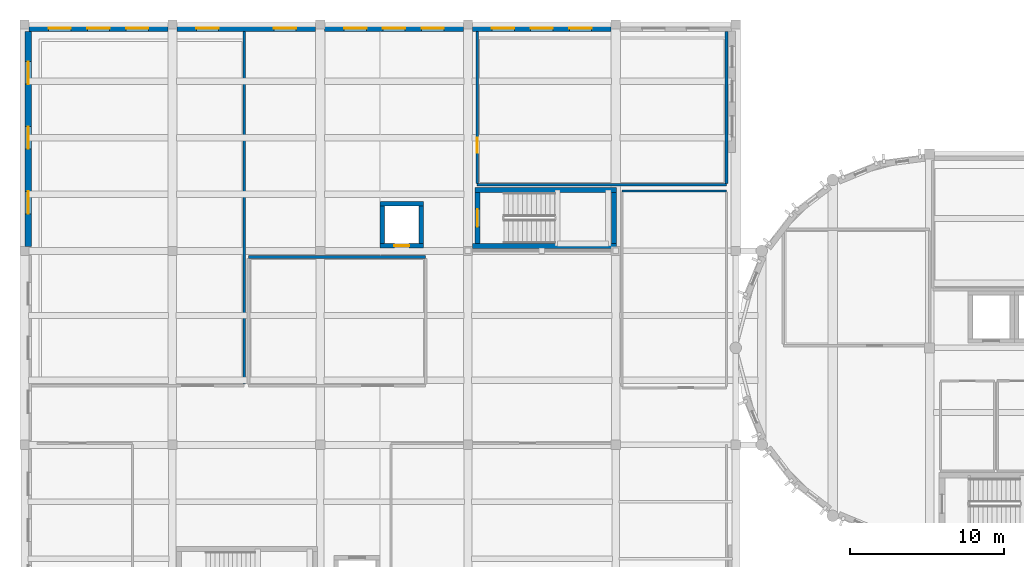
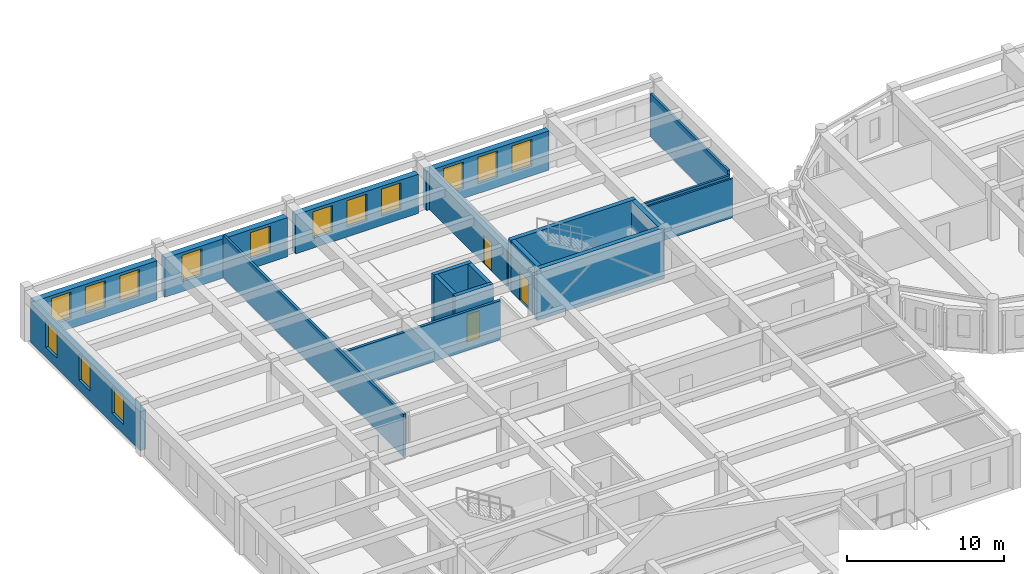
# One storey, part 17 of 31: 19 walls, 14 windows, 3 doors, 17 openings.
"""IFC4 building model written with IfcOpenShell, lengths in metres."""

from ifc_helpers import new_model, si_unit, direction, frame, frame_2d, origin, place, context, subcontext, project, spatial, rectangle, extrude, material, layer, layer_set, type_object, element, fill, save


model = new_model("IFC4")

# Units and contexts
model_context = context("Model", 3, precision=1e-05, world=origin(), true_north=direction((0.0, 1.0)))
body_context = subcontext(model_context, "Body", "Model", "MODEL_VIEW")
ifc_project = project(units=[si_unit("LENGTHUNIT", "METRE"), si_unit("AREAUNIT", "SQUARE_METRE"), si_unit("VOLUMEUNIT", "CUBIC_METRE"), si_unit("PLANEANGLEUNIT", "RADIAN"), si_unit("MASSUNIT", "GRAM", prefix="KILO")], contexts=[model_context])

# Site, building, storey
site_placement = place(None, origin())
site = spatial("IfcSite", under=ifc_project, at=site_placement, CompositionType="ELEMENT")
building_placement = place(site_placement, origin())
building = spatial("IfcBuilding", under=site, at=building_placement, Name="Tarnavel Promenade Courthouse", CompositionType="ELEMENT")
storey_placement = place(building_placement, frame((0.0, 0.0, 18.60009765625)))
storey = spatial("IfcBuildingStorey", under=building, at=storey_placement, Name="L05", CompositionType="ELEMENT", Elevation=18.60009765625)

# Wall
ifc_material_1 = material(Name="Acoustic Insulated Gypsum Stud Partition", Category="gypsum")
ifc_layer_1 = layer(ifc_material_1, 0.1650390625)
ifc_layer_set_1 = layer_set([ifc_layer_1], Name="Acoustic Insulated Gypsum Stud Partition")
wall_type_1 = type_object("IfcWallType", Name="Acoustic Insulated Gypsum Stud Partition WL-CHM-165 (165 mm)", PredefinedType="PARTITIONING", material=ifc_layer_set_1)
wall_1_placement = place(storey_placement, frame((45.60009765625, 102.39990234375, 0.0), z_axis=(0.0, 0.0, 1.0), x_axis=(-1.0, 0.0, 0.0)))
element("IfcWall", 1, at=wall_1_placement, inside=storey, type_object=wall_type_1, Name="L05 Appellate Panel Robing Room Partition 0692", PredefinedType="PARTITIONING", context=body_context, shape_type="SweptSolid", body=[
    extrude(rectangle(XDim=16.2001953125, YDim=0.1650390625, at=frame_2d((8.10009765625, 0.0))), origin(), (0.0, 0.0, 1.0), 3.039794921875),
])

# Wall, opening, door
wall_2_placement = place(storey_placement, frame((29.39990234375, 102.492431640625, 0.0), z_axis=(0.0, 0.0, 1.0), x_axis=(0.0, 1.0, 0.0)))
wall_2 = element("IfcWall", 2, at=wall_2_placement, inside=storey, type_object=wall_type_1, Name="L05 Appellate Panel Robing Room Partition 0693", PredefinedType="PARTITIONING", context=body_context, shape_type="SweptSolid", body=[
    extrude(rectangle(XDim=9.853515625, YDim=0.1650390625, at=frame_2d((4.9267578125, 0.0))), origin(), (0.0, 0.0, 1.0), 3.33984375),
])
opening_1_placement = place(wall_2_placement, frame((1.984619140625, 0.0, 0.0)))
opening_1 = element("IfcOpeningElement", 3, at=opening_1_placement, cuts=wall_2, Name="Opening ID-04", PredefinedType="OPENING", context=body_context, shape_type="SweptSolid", body=[
    extrude(rectangle(XDim=0.97998046875, YDim=2.199951171875, at=frame_2d((0.489990234375, 1.10009765625))), frame((0.0, 0.092529296875, 0.0), z_axis=(0.0, -1.0, 0.0), x_axis=(1.0, 0.0, 0.0)), (0.0, 0.0, 1.0), 0.18505859375),
])
ifc_material_2 = material(Name="Solid Oak Judges Chambers Door")
door_type_1 = type_object("IfcDoorType", Name="Solid Oak Judges Chambers Door (DR-CHM-0980x2200)", OperationType="NOTDEFINED", PredefinedType="DOOR", material=ifc_material_2)
door_1_placement = place(opening_1_placement, origin())
door_1 = element("IfcDoor", 4, at=door_1_placement, inside=storey, type_object=door_type_1, Name="L05 Appellate Panel Robing Room Door 0198", OperationType="SINGLE_SWING_RIGHT", OverallHeight=2.199951171875, OverallWidth=0.97998046875, PredefinedType="DOOR", context=body_context, shape_type="SweptSolid", body=[
    extrude(rectangle(XDim=0.97998046875, YDim=2.199951171875, at=frame_2d((0.489990234375, 1.10009765625))), frame((0.0, 0.02490234375, 0.0), z_axis=(0.0, -1.0, 0.0), x_axis=(1.0, 0.0, 0.0)), (0.0, 0.0, 1.0), 0.050048828125),
])
fill(opening_1, door_1)

# Walls
wall_3_placement = place(storey_placement, frame((45.60009765625, 112.345947265625, 0.0), z_axis=(0.0, 0.0, 1.0), x_axis=(0.0, -1.0, 0.0)))
element("IfcWall", 5, at=wall_3_placement, inside=storey, type_object=wall_type_1, Name="L05 Appellate Panel Robing Room Partition 0694", PredefinedType="PARTITIONING", context=body_context, shape_type="SweptSolid", body=[
    extrude(rectangle(XDim=9.853515625, YDim=0.1650390625, at=frame_2d((4.9267578125, 0.0))), origin(), (0.0, 0.0, 1.0), 3.33984375),
])
ifc_material_3 = material(Name="Concrete C40/50", Category="concrete")
ifc_layer_2 = layer(ifc_material_3, 0.280029296875)
ifc_layer_set_2 = layer_set([ifc_layer_2], Name="Concrete C40/50")
wall_type_2 = type_object("IfcWallType", Name="Concrete C40/50 WL-SHR-280 (280 mm)", PredefinedType="SHEAR", material=ifc_layer_set_2)
wall_4_placement = place(storey_placement, frame((23.10009765625, 101.159912109375, 0.0), z_axis=(0.0, 0.0, 1.0), x_axis=(1.0, 0.0, 0.0)))
element("IfcWall", 6, at=wall_4_placement, inside=storey, type_object=wall_type_2, Name="L05 L-JUD2 Lift Shaft North Wall", PredefinedType="SHEAR", context=body_context, shape_type="SweptSolid", body=[
    extrude(rectangle(XDim=2.7998046875, YDim=0.280029296875, at=frame_2d((1.39990234375, 0.0))), origin(), (0.0, 0.0, 1.0), 3.9599609375),
])

# Wall, opening, door
wall_5_placement = place(storey_placement, frame((25.89990234375, 98.43994140625, 0.0), z_axis=(0.0, 0.0, 1.0), x_axis=(-1.0, 0.0, 0.0)))
wall_5 = element("IfcWall", 7, at=wall_5_placement, inside=storey, type_object=wall_type_2, Name="L05 L-JUD2 Lift Shaft South Wall", PredefinedType="SHEAR", context=body_context, shape_type="SweptSolid", body=[
    extrude(rectangle(XDim=2.7998046875, YDim=0.280029296875, at=frame_2d((1.39990234375, 0.0))), origin(), (0.0, 0.0, 1.0), 3.9599609375),
])
opening_2_placement = place(wall_5_placement, frame((0.925048828125, 0.0, 0.0)))
opening_2 = element("IfcOpeningElement", 8, at=opening_2_placement, cuts=wall_5, Name="Opening LD-03", PredefinedType="OPENING", context=body_context, shape_type="SweptSolid", body=[
    extrude(rectangle(XDim=0.949951171875, YDim=2.14990234375, at=frame_2d((0.47509765625, 1.074951171875))), frame((0.0, 0.14990234375, 0.0), z_axis=(0.0, -1.0, 0.0), x_axis=(1.0, 0.0, 0.0)), (0.0, 0.0, 1.0), 0.300048828125),
])
ifc_material_4 = material(Name="Stainless Steel Judicial Lift Landing Sliding Door", Category="steel")
door_type_2 = type_object("IfcDoorType", Name="Stainless Steel Judicial Lift Landing Sliding Door (LD-JUD-0950x2150)", OperationType="NOTDEFINED", PredefinedType="DOOR", material=ifc_material_4)
door_2_placement = place(opening_2_placement, origin())
door_2 = element("IfcDoor", 9, at=door_2_placement, inside=storey, type_object=door_type_2, Name="L05 L-JUD2 Lift Sliding Landing Door", OperationType="DOUBLE_DOOR_SLIDING", OverallHeight=2.14990234375, OverallWidth=0.949951171875, PredefinedType="DOOR", context=body_context, shape_type="SweptSolid", body=[
    extrude(rectangle(XDim=0.949951171875, YDim=2.14990234375, at=frame_2d((0.47509765625, 1.074951171875))), frame((0.0, 0.02490234375, 0.0), z_axis=(0.0, -1.0, 0.0), x_axis=(1.0, 0.0, 0.0)), (0.0, 0.0, 1.0), 0.050048828125),
])
fill(opening_2, door_2)

# Walls
for number, where, z_axis, x_axis, name in (
    (10, (23.239990234375, 98.580078125, 0.0), (0.0, 0.0, 1.0), (0.0, 1.0, 0.0), "L05 L-JUD2 Lift Shaft West Wall"),
    (11, (25.760009765625, 101.02001953125, 0.0), (0.0, 0.0, 1.0), (0.0, -1.0, 0.0), "L05 L-JUD2 Lift Shaft East Wall"),
):
    element("IfcWall", number, at=place(storey_placement, frame(where, z_axis=z_axis, x_axis=x_axis)), inside=storey, type_object=wall_type_2, Name=name, PredefinedType="SHEAR", context=body_context, shape_type="SweptSolid", body=[
        extrude(rectangle(XDim=2.43994140625, YDim=0.280029296875, at=frame_2d((1.219970703125, 0.0))), origin(), (0.0, 0.0, 1.0), 3.9599609375),
    ])
ifc_layer_3 = layer(ifc_material_3, 0.320068359375)
ifc_layer_set_3 = layer_set([ifc_layer_3], Name="Concrete C40/50")
wall_type_3 = type_object("IfcWallType", Name="Concrete C40/50 WL-SHR-320 (320 mm)", PredefinedType="SHEAR", material=ifc_layer_set_3)
wall_6_placement = place(storey_placement, frame((29.260009765625, 102.06005859375, 0.0), z_axis=(0.0, 0.0, 1.0), x_axis=(1.0, 0.0, 0.0)))
element("IfcWall", 12, at=wall_6_placement, inside=storey, type_object=wall_type_3, Name="L05 ST-07 Shear Core North Wall", PredefinedType="SHEAR", context=body_context, shape_type="SweptSolid", body=[
    extrude(rectangle(XDim=9.179931640625, YDim=0.320068359375, at=frame_2d((4.58984375, 0.0))), origin(), (0.0, 0.0, 1.0), 3.9599609375),
])
wall_7_placement = place(storey_placement, frame((38.43994140625, 98.419921875, 0.0), z_axis=(0.0, 0.0, 1.0), x_axis=(-1.0, 0.0, 0.0)))
element("IfcWall", 13, at=wall_7_placement, inside=storey, type_object=wall_type_3, Name="L05 ST-07 Shear Core South Wall", PredefinedType="SHEAR", context=body_context, shape_type="SweptSolid", body=[
    extrude(rectangle(XDim=9.33984375, YDim=0.320068359375, at=frame_2d((4.669921875, 0.0))), origin(), (0.0, 0.0, 1.0), 3.9599609375),
])

# Wall, opening, door
wall_8_placement = place(storey_placement, frame((29.419921875, 98.580078125, 0.0), z_axis=(0.0, 0.0, 1.0), x_axis=(0.0, 1.0, 0.0)))
wall_8 = element("IfcWall", 14, at=wall_8_placement, inside=storey, type_object=wall_type_3, Name="L05 ST-07 Shear Core West Landing Wall", PredefinedType="SHEAR", context=body_context, shape_type="SweptSolid", body=[
    extrude(rectangle(XDim=3.31982421875, YDim=0.320068359375, at=frame_2d((1.659912109375, 0.0))), origin(), (0.0, 0.0, 1.0), 3.9599609375),
])
opening_3_placement = place(wall_8_placement, frame((1.0849609375, 0.0, 0.0)))
opening_3 = element("IfcOpeningElement", 15, at=opening_3_placement, cuts=wall_8, Name="Opening FD-01", PredefinedType="OPENING", context=body_context, shape_type="SweptSolid", body=[
    extrude(rectangle(XDim=1.14990234375, YDim=2.199951171875, at=frame_2d((0.574951171875, 1.10009765625))), frame((0.0, 0.169921875, 0.0), z_axis=(0.0, -1.0, 0.0), x_axis=(1.0, 0.0, 0.0)), (0.0, 0.0, 1.0), 0.340087890625),
])
ifc_material_5 = material(Name="Steel Fire-Rated Stair Core Door", Category="steel")
door_type_3 = type_object("IfcDoorType", Name="Steel Fire-Rated Stair Core Door (DR-ST-1150x2200)", OperationType="NOTDEFINED", PredefinedType="DOOR", material=ifc_material_5)
door_3_placement = place(opening_3_placement, origin())
door_3 = element("IfcDoor", 16, at=door_3_placement, inside=storey, type_object=door_type_3, Name="L05 ST-07 Protected Exit Stair Door", OperationType="SINGLE_SWING_RIGHT", OverallHeight=2.199951171875, OverallWidth=1.14990234375, PredefinedType="DOOR", context=body_context, shape_type="SweptSolid", body=[
    extrude(rectangle(XDim=1.14990234375, YDim=2.199951171875, at=frame_2d((0.574951171875, 1.10009765625))), frame((0.0, 0.02490234375, 0.0), z_axis=(0.0, -1.0, 0.0), x_axis=(1.0, 0.0, 0.0)), (0.0, 0.0, 1.0), 0.050048828125),
])
fill(opening_3, door_3)

# Walls
wall_9_placement = place(storey_placement, frame((38.280029296875, 101.89990234375, 0.0), z_axis=(0.0, 0.0, 1.0), x_axis=(0.0, -1.0, 0.0)))
element("IfcWall", 17, at=wall_9_placement, inside=storey, type_object=wall_type_3, Name="L05 ST-07 Shear Core East Wall", PredefinedType="SHEAR", context=body_context, shape_type="SweptSolid", body=[
    extrude(rectangle(XDim=3.31982421875, YDim=0.320068359375, at=frame_2d((1.659912109375, 0.0))), origin(), (0.0, 0.0, 1.0), 3.9599609375),
])
ifc_material_6 = material(Name="Double-Stud Acoustic Courtroom Partition Assembly", Category="gypsum")
ifc_layer_4 = layer(ifc_material_6, 0.18505859375)
ifc_layer_set_4 = layer_set([ifc_layer_4], Name="Double-Stud Acoustic Courtroom Partition Assembly")
wall_type_4 = type_object("IfcWallType", Name="Double-Stud Acoustic Courtroom Partition Assembly WL-CRT-185 (185 mm)", PredefinedType="PARTITIONING", material=ifc_layer_set_4)
wall_10_placement = place(storey_placement, frame((14.26708984375, 112.345947265625, 0.0), z_axis=(0.0, 0.0, 1.0), x_axis=(0.0, -1.0, 0.0)))
element("IfcWall", 18, at=wall_10_placement, inside=storey, type_object=wall_type_4, Name="L05 Appellate Division Courtroom A Partition 0687", PredefinedType="PARTITIONING", context=body_context, shape_type="SweptSolid", body=[
    extrude(rectangle(XDim=22.903564453125, YDim=0.18505859375, at=frame_2d((11.45166015625, 0.0))), origin(), (0.0, 0.0, 1.0), 3.289794921875),
])
wall_11_placement = place(storey_placement, frame((14.547119140625, 97.699951171875, 0.0), z_axis=(0.0, 0.0, 1.0), x_axis=(1.0, 0.0, 0.0)))
element("IfcWall", 19, at=wall_11_placement, inside=storey, type_object=wall_type_4, Name="L05 Appellate Division Courtroom B Partition 0688", PredefinedType="PARTITIONING", context=body_context, shape_type="SweptSolid", body=[
    extrude(rectangle(XDim=11.512939453125, YDim=0.18505859375, at=frame_2d((5.75634765625, 0.0))), origin(), (0.0, 0.0, 1.0), 3.039794921875),
])

# Wall, openings, windows
ifc_material_7 = material(Name="Limestone Ashlar Faced Insulated Brick Masonry", Category="masonry")
ifc_layer_5 = layer(ifc_material_7, 0.43994140625)
ifc_layer_set_5 = layer_set([ifc_layer_5], Name="Limestone Ashlar Faced Insulated Brick Masonry")
wall_type_5 = type_object("IfcWallType", Name="Limestone Ashlar Faced Insulated Brick Masonry WL-EXT-440 (440 mm)", PredefinedType="STANDARD", material=ifc_layer_set_5)
wall_12_placement = place(storey_placement, frame((0.2919921875, 112.56005859375, 0.0), z_axis=(0.0, 0.0, 1.0), x_axis=(1.0, 0.0, 0.0)))
wall_12 = element("IfcWall", 20, at=wall_12_placement, inside=storey, type_object=wall_type_5, Name="L05 Trial Wing North Ashlar Facade 0313", PredefinedType="STANDARD", context=body_context, shape_type="SweptSolid", body=[
    extrude(rectangle(XDim=9.01611328125, YDim=0.43994140625, at=frame_2d((4.508056640625, 0.0))), origin(), (0.0, 0.0, 1.0), 3.039794921875),
])
opening_4_placement = place(wall_12_placement, frame((1.269775390625, 0.0, 0.77001953125)))
opening_4 = element("IfcOpeningElement", 21, at=opening_4_placement, cuts=wall_12, Name="Opening W-03", PredefinedType="OPENING", context=body_context, shape_type="SweptSolid", body=[
    extrude(rectangle(XDim=1.449951171875, YDim=2.050048828125, at=frame_2d((0.72509765625, 1.02490234375))), frame((0.0, 0.22998046875, 0.0), z_axis=(0.0, -1.0, 0.0), x_axis=(1.0, 0.0, 0.0)), (0.0, 0.0, 1.0), 0.4599609375),
])
opening_5_placement = place(wall_12_placement, frame((3.782958984375, 0.0, 0.77001953125)))
opening_5 = element("IfcOpeningElement", 22, at=opening_5_placement, cuts=wall_12, Name="Opening W-03", PredefinedType="OPENING", context=body_context, shape_type="SweptSolid", body=[
    extrude(rectangle(XDim=1.449951171875, YDim=2.050048828125, at=frame_2d((0.72509765625, 1.02490234375))), frame((0.0, 0.22998046875, 0.0), z_axis=(0.0, -1.0, 0.0), x_axis=(1.0, 0.0, 0.0)), (0.0, 0.0, 1.0), 0.4599609375),
])
opening_6_placement = place(wall_12_placement, frame((6.29638671875, 0.0, 0.77001953125)))
opening_6 = element("IfcOpeningElement", 23, at=opening_6_placement, cuts=wall_12, Name="Opening W-03", PredefinedType="OPENING", context=body_context, shape_type="SweptSolid", body=[
    extrude(rectangle(XDim=1.449951171875, YDim=2.050048828125, at=frame_2d((0.72509765625, 1.02490234375))), frame((0.0, 0.22998046875, 0.0), z_axis=(0.0, -1.0, 0.0), x_axis=(1.0, 0.0, 0.0)), (0.0, 0.0, 1.0), 0.4599609375),
])
ifc_material_8 = material(Name="Triple Low-E Glazed Bronze-Clad Window Assembly")
window_type = type_object("IfcWindowType", Name="Triple-Glazed Bronze-Clad Timber-Aluminium WIN-APP-1450x2050", PartitioningType="SINGLE_PANEL", PredefinedType="WINDOW", material=ifc_material_8)
window_1_placement = place(opening_4_placement, origin())
window_1 = element("IfcWindow", 24, at=window_1_placement, inside=storey, type_object=window_type, Name="L05 Exterior Window 0330", OverallHeight=2.050048828125, OverallWidth=1.449951171875, PartitioningType="SINGLE_PANEL", PredefinedType="WINDOW", context=body_context, shape_type="SweptSolid", body=[
    extrude(rectangle(XDim=1.449951171875, YDim=2.050048828125, at=frame_2d((0.72509765625, 1.02490234375))), frame((0.0, 0.030029296875, 0.0), z_axis=(0.0, -1.0, 0.0), x_axis=(1.0, 0.0, 0.0)), (0.0, 0.0, 1.0), 0.06005859375),
])
fill(opening_4, window_1)
window_2_placement = place(opening_5_placement, origin())
window_2 = element("IfcWindow", 25, at=window_2_placement, inside=storey, type_object=window_type, Name="L05 Exterior Window 0331", OverallHeight=2.050048828125, OverallWidth=1.449951171875, PartitioningType="SINGLE_PANEL", PredefinedType="WINDOW", context=body_context, shape_type="SweptSolid", body=[
    extrude(rectangle(XDim=1.449951171875, YDim=2.050048828125, at=frame_2d((0.72509765625, 1.02490234375))), frame((0.0, 0.030029296875, 0.0), z_axis=(0.0, -1.0, 0.0), x_axis=(1.0, 0.0, 0.0)), (0.0, 0.0, 1.0), 0.06005859375),
])
fill(opening_5, window_2)
window_3_placement = place(opening_6_placement, origin())
window_3 = element("IfcWindow", 26, at=window_3_placement, inside=storey, type_object=window_type, Name="L05 Exterior Window 0332", OverallHeight=2.050048828125, OverallWidth=1.449951171875, PartitioningType="SINGLE_PANEL", PredefinedType="WINDOW", context=body_context, shape_type="SweptSolid", body=[
    extrude(rectangle(XDim=1.449951171875, YDim=2.050048828125, at=frame_2d((0.72509765625, 1.02490234375))), frame((0.0, 0.030029296875, 0.0), z_axis=(0.0, -1.0, 0.0), x_axis=(1.0, 0.0, 0.0)), (0.0, 0.0, 1.0), 0.06005859375),
])
fill(opening_6, window_3)

wall_13_placement = place(storey_placement, frame((9.89208984375, 112.56005859375, 0.0), z_axis=(0.0, 0.0, 1.0), x_axis=(1.0, 0.0, 0.0)))
wall_13 = element("IfcWall", 27, at=wall_13_placement, inside=storey, type_object=wall_type_5, Name="L05 Trial Wing North Ashlar Facade 0314", PredefinedType="STANDARD", context=body_context, shape_type="SweptSolid", body=[
    extrude(rectangle(XDim=9.015869140625, YDim=0.43994140625, at=frame_2d((4.5078125, 0.0))), origin(), (0.0, 0.0, 1.0), 3.039794921875),
])
opening_7_placement = place(wall_13_placement, frame((1.269775390625, 0.0, 0.77001953125)))
opening_7 = element("IfcOpeningElement", 28, at=opening_7_placement, cuts=wall_13, Name="Opening W-03", PredefinedType="OPENING", context=body_context, shape_type="SweptSolid", body=[
    extrude(rectangle(XDim=1.449951171875, YDim=2.050048828125, at=frame_2d((0.72509765625, 1.02490234375))), frame((0.0, 0.22998046875, 0.0), z_axis=(0.0, -1.0, 0.0), x_axis=(1.0, 0.0, 0.0)), (0.0, 0.0, 1.0), 0.4599609375),
])
opening_8_placement = place(wall_13_placement, frame((6.29638671875, 0.0, 0.77001953125)))
opening_8 = element("IfcOpeningElement", 29, at=opening_8_placement, cuts=wall_13, Name="Opening W-03", PredefinedType="OPENING", context=body_context, shape_type="SweptSolid", body=[
    extrude(rectangle(XDim=1.449951171875, YDim=2.050048828125, at=frame_2d((0.72509765625, 1.02490234375))), frame((0.0, 0.22998046875, 0.0), z_axis=(0.0, -1.0, 0.0), x_axis=(1.0, 0.0, 0.0)), (0.0, 0.0, 1.0), 0.4599609375),
])
window_4_placement = place(opening_7_placement, origin())
window_4 = element("IfcWindow", 30, at=window_4_placement, inside=storey, type_object=window_type, Name="L05 Exterior Window 0333", OverallHeight=2.050048828125, OverallWidth=1.449951171875, PartitioningType="SINGLE_PANEL", PredefinedType="WINDOW", context=body_context, shape_type="SweptSolid", body=[
    extrude(rectangle(XDim=1.449951171875, YDim=2.050048828125, at=frame_2d((0.72509765625, 1.02490234375))), frame((0.0, 0.030029296875, 0.0), z_axis=(0.0, -1.0, 0.0), x_axis=(1.0, 0.0, 0.0)), (0.0, 0.0, 1.0), 0.06005859375),
])
fill(opening_7, window_4)
window_5_placement = place(opening_8_placement, origin())
window_5 = element("IfcWindow", 31, at=window_5_placement, inside=storey, type_object=window_type, Name="L05 Exterior Window 0334", OverallHeight=2.050048828125, OverallWidth=1.449951171875, PartitioningType="SINGLE_PANEL", PredefinedType="WINDOW", context=body_context, shape_type="SweptSolid", body=[
    extrude(rectangle(XDim=1.449951171875, YDim=2.050048828125, at=frame_2d((0.72509765625, 1.02490234375))), frame((0.0, 0.030029296875, 0.0), z_axis=(0.0, -1.0, 0.0), x_axis=(1.0, 0.0, 0.0)), (0.0, 0.0, 1.0), 0.06005859375),
])
fill(opening_8, window_5)

wall_14_placement = place(storey_placement, frame((19.491943359375, 112.56005859375, 0.0), z_axis=(0.0, 0.0, 1.0), x_axis=(1.0, 0.0, 0.0)))
wall_14 = element("IfcWall", 32, at=wall_14_placement, inside=storey, type_object=wall_type_5, Name="L05 Trial Wing North Ashlar Facade 0315", PredefinedType="STANDARD", context=body_context, shape_type="SweptSolid", body=[
    extrude(rectangle(XDim=9.01611328125, YDim=0.43994140625, at=frame_2d((4.508056640625, 0.0))), origin(), (0.0, 0.0, 1.0), 3.039794921875),
])
opening_9_placement = place(wall_14_placement, frame((1.269775390625, 0.0, 0.77001953125)))
opening_9 = element("IfcOpeningElement", 33, at=opening_9_placement, cuts=wall_14, Name="Opening W-03", PredefinedType="OPENING", context=body_context, shape_type="SweptSolid", body=[
    extrude(rectangle(XDim=1.449951171875, YDim=2.050048828125, at=frame_2d((0.72509765625, 1.02490234375))), frame((0.0, 0.22998046875, 0.0), z_axis=(0.0, -1.0, 0.0), x_axis=(1.0, 0.0, 0.0)), (0.0, 0.0, 1.0), 0.4599609375),
])
opening_10_placement = place(wall_14_placement, frame((3.782958984375, 0.0, 0.77001953125)))
opening_10 = element("IfcOpeningElement", 34, at=opening_10_placement, cuts=wall_14, Name="Opening W-03", PredefinedType="OPENING", context=body_context, shape_type="SweptSolid", body=[
    extrude(rectangle(XDim=1.449951171875, YDim=2.050048828125, at=frame_2d((0.72509765625, 1.02490234375))), frame((0.0, 0.22998046875, 0.0), z_axis=(0.0, -1.0, 0.0), x_axis=(1.0, 0.0, 0.0)), (0.0, 0.0, 1.0), 0.4599609375),
])
opening_11_placement = place(wall_14_placement, frame((6.29638671875, 0.0, 0.77001953125)))
opening_11 = element("IfcOpeningElement", 35, at=opening_11_placement, cuts=wall_14, Name="Opening W-03", PredefinedType="OPENING", context=body_context, shape_type="SweptSolid", body=[
    extrude(rectangle(XDim=1.449951171875, YDim=2.050048828125, at=frame_2d((0.72509765625, 1.02490234375))), frame((0.0, 0.22998046875, 0.0), z_axis=(0.0, -1.0, 0.0), x_axis=(1.0, 0.0, 0.0)), (0.0, 0.0, 1.0), 0.4599609375),
])
window_6_placement = place(opening_9_placement, origin())
window_6 = element("IfcWindow", 36, at=window_6_placement, inside=storey, type_object=window_type, Name="L05 Exterior Window 0335", OverallHeight=2.050048828125, OverallWidth=1.449951171875, PartitioningType="SINGLE_PANEL", PredefinedType="WINDOW", context=body_context, shape_type="SweptSolid", body=[
    extrude(rectangle(XDim=1.449951171875, YDim=2.050048828125, at=frame_2d((0.72509765625, 1.02490234375))), frame((0.0, 0.030029296875, 0.0), z_axis=(0.0, -1.0, 0.0), x_axis=(1.0, 0.0, 0.0)), (0.0, 0.0, 1.0), 0.06005859375),
])
fill(opening_9, window_6)
window_7_placement = place(opening_10_placement, origin())
window_7 = element("IfcWindow", 37, at=window_7_placement, inside=storey, type_object=window_type, Name="L05 Exterior Window 0336", OverallHeight=2.050048828125, OverallWidth=1.449951171875, PartitioningType="SINGLE_PANEL", PredefinedType="WINDOW", context=body_context, shape_type="SweptSolid", body=[
    extrude(rectangle(XDim=1.449951171875, YDim=2.050048828125, at=frame_2d((0.72509765625, 1.02490234375))), frame((0.0, 0.030029296875, 0.0), z_axis=(0.0, -1.0, 0.0), x_axis=(1.0, 0.0, 0.0)), (0.0, 0.0, 1.0), 0.06005859375),
])
fill(opening_10, window_7)
window_8_placement = place(opening_11_placement, origin())
window_8 = element("IfcWindow", 38, at=window_8_placement, inside=storey, type_object=window_type, Name="L05 Exterior Window 0337", OverallHeight=2.050048828125, OverallWidth=1.449951171875, PartitioningType="SINGLE_PANEL", PredefinedType="WINDOW", context=body_context, shape_type="SweptSolid", body=[
    extrude(rectangle(XDim=1.449951171875, YDim=2.050048828125, at=frame_2d((0.72509765625, 1.02490234375))), frame((0.0, 0.030029296875, 0.0), z_axis=(0.0, -1.0, 0.0), x_axis=(1.0, 0.0, 0.0)), (0.0, 0.0, 1.0), 0.06005859375),
])
fill(opening_11, window_8)

wall_15_placement = place(storey_placement, frame((29.092041015625, 112.56005859375, 0.0), z_axis=(0.0, 0.0, 1.0), x_axis=(1.0, 0.0, 0.0)))
wall_15 = element("IfcWall", 39, at=wall_15_placement, inside=storey, type_object=wall_type_5, Name="L05 Trial Wing North Ashlar Facade 0316", PredefinedType="STANDARD", context=body_context, shape_type="SweptSolid", body=[
    extrude(rectangle(XDim=9.015869140625, YDim=0.43994140625, at=frame_2d((4.5078125, 0.0))), origin(), (0.0, 0.0, 1.0), 3.039794921875),
])
opening_12_placement = place(wall_15_placement, frame((1.269775390625, 0.0, 0.77001953125)))
opening_12 = element("IfcOpeningElement", 40, at=opening_12_placement, cuts=wall_15, Name="Opening W-03", PredefinedType="OPENING", context=body_context, shape_type="SweptSolid", body=[
    extrude(rectangle(XDim=1.449951171875, YDim=2.050048828125, at=frame_2d((0.72509765625, 1.02490234375))), frame((0.0, 0.22998046875, 0.0), z_axis=(0.0, -1.0, 0.0), x_axis=(1.0, 0.0, 0.0)), (0.0, 0.0, 1.0), 0.4599609375),
])
opening_13_placement = place(wall_15_placement, frame((3.782958984375, 0.0, 0.77001953125)))
opening_13 = element("IfcOpeningElement", 41, at=opening_13_placement, cuts=wall_15, Name="Opening W-03", PredefinedType="OPENING", context=body_context, shape_type="SweptSolid", body=[
    extrude(rectangle(XDim=1.449951171875, YDim=2.050048828125, at=frame_2d((0.72509765625, 1.02490234375))), frame((0.0, 0.22998046875, 0.0), z_axis=(0.0, -1.0, 0.0), x_axis=(1.0, 0.0, 0.0)), (0.0, 0.0, 1.0), 0.4599609375),
])
opening_14_placement = place(wall_15_placement, frame((6.29638671875, 0.0, 0.77001953125)))
opening_14 = element("IfcOpeningElement", 42, at=opening_14_placement, cuts=wall_15, Name="Opening W-03", PredefinedType="OPENING", context=body_context, shape_type="SweptSolid", body=[
    extrude(rectangle(XDim=1.449951171875, YDim=2.050048828125, at=frame_2d((0.72509765625, 1.02490234375))), frame((0.0, 0.22998046875, 0.0), z_axis=(0.0, -1.0, 0.0), x_axis=(1.0, 0.0, 0.0)), (0.0, 0.0, 1.0), 0.4599609375),
])
window_9_placement = place(opening_12_placement, origin())
window_9 = element("IfcWindow", 43, at=window_9_placement, inside=storey, type_object=window_type, Name="L05 Exterior Window 0338", OverallHeight=2.050048828125, OverallWidth=1.449951171875, PartitioningType="SINGLE_PANEL", PredefinedType="WINDOW", context=body_context, shape_type="SweptSolid", body=[
    extrude(rectangle(XDim=1.449951171875, YDim=2.050048828125, at=frame_2d((0.72509765625, 1.02490234375))), frame((0.0, 0.030029296875, 0.0), z_axis=(0.0, -1.0, 0.0), x_axis=(1.0, 0.0, 0.0)), (0.0, 0.0, 1.0), 0.06005859375),
])
fill(opening_12, window_9)
window_10_placement = place(opening_13_placement, origin())
window_10 = element("IfcWindow", 44, at=window_10_placement, inside=storey, type_object=window_type, Name="L05 Exterior Window 0339", OverallHeight=2.050048828125, OverallWidth=1.449951171875, PartitioningType="SINGLE_PANEL", PredefinedType="WINDOW", context=body_context, shape_type="SweptSolid", body=[
    extrude(rectangle(XDim=1.449951171875, YDim=2.050048828125, at=frame_2d((0.72509765625, 1.02490234375))), frame((0.0, 0.030029296875, 0.0), z_axis=(0.0, -1.0, 0.0), x_axis=(1.0, 0.0, 0.0)), (0.0, 0.0, 1.0), 0.06005859375),
])
fill(opening_13, window_10)
window_11_placement = place(opening_14_placement, origin())
window_11 = element("IfcWindow", 45, at=window_11_placement, inside=storey, type_object=window_type, Name="L05 Exterior Window 0340", OverallHeight=2.050048828125, OverallWidth=1.449951171875, PartitioningType="SINGLE_PANEL", PredefinedType="WINDOW", context=body_context, shape_type="SweptSolid", body=[
    extrude(rectangle(XDim=1.449951171875, YDim=2.050048828125, at=frame_2d((0.72509765625, 1.02490234375))), frame((0.0, 0.030029296875, 0.0), z_axis=(0.0, -1.0, 0.0), x_axis=(1.0, 0.0, 0.0)), (0.0, 0.0, 1.0), 0.06005859375),
])
fill(opening_14, window_11)

wall_16_placement = place(storey_placement, frame((0.239990234375, 98.39208984375, 0.0), z_axis=(0.0, 0.0, 1.0), x_axis=(0.0, 1.0, 0.0)))
wall_16 = element("IfcWall", 46, at=wall_16_placement, inside=storey, type_object=wall_type_5, Name="L05 Trial Wing West Ashlar Facade 0321", PredefinedType="STANDARD", context=body_context, shape_type="SweptSolid", body=[
    extrude(rectangle(XDim=13.955810546875, YDim=0.43994140625, at=frame_2d((6.97802734375, 0.0))), origin(), (0.0, 0.0, 1.0), 3.039794921875),
])
opening_15_placement = place(wall_16_placement, frame((2.11962890625, 0.0, 0.77001953125)))
opening_15 = element("IfcOpeningElement", 47, at=opening_15_placement, cuts=wall_16, Name="Opening W-03", PredefinedType="OPENING", context=body_context, shape_type="SweptSolid", body=[
    extrude(rectangle(XDim=1.449951171875, YDim=2.050048828125, at=frame_2d((0.72509765625, 1.02490234375))), frame((0.0, 0.22998046875, 0.0), z_axis=(0.0, -1.0, 0.0), x_axis=(1.0, 0.0, 0.0)), (0.0, 0.0, 1.0), 0.4599609375),
])
opening_16_placement = place(wall_16_placement, frame((6.3330078125, 0.0, 0.77001953125)))
opening_16 = element("IfcOpeningElement", 48, at=opening_16_placement, cuts=wall_16, Name="Opening W-03", PredefinedType="OPENING", context=body_context, shape_type="SweptSolid", body=[
    extrude(rectangle(XDim=1.449951171875, YDim=2.050048828125, at=frame_2d((0.72509765625, 1.02490234375))), frame((0.0, 0.22998046875, 0.0), z_axis=(0.0, -1.0, 0.0), x_axis=(1.0, 0.0, 0.0)), (0.0, 0.0, 1.0), 0.4599609375),
])
opening_17_placement = place(wall_16_placement, frame((10.54638671875, 0.0, 0.77001953125)))
opening_17 = element("IfcOpeningElement", 49, at=opening_17_placement, cuts=wall_16, Name="Opening W-03", PredefinedType="OPENING", context=body_context, shape_type="SweptSolid", body=[
    extrude(rectangle(XDim=1.449951171875, YDim=2.050048828125, at=frame_2d((0.72509765625, 1.02490234375))), frame((0.0, 0.22998046875, 0.0), z_axis=(0.0, -1.0, 0.0), x_axis=(1.0, 0.0, 0.0)), (0.0, 0.0, 1.0), 0.4599609375),
])
window_12_placement = place(opening_15_placement, origin())
window_12 = element("IfcWindow", 50, at=window_12_placement, inside=storey, type_object=window_type, Name="L05 Exterior Window 0351", OverallHeight=2.050048828125, OverallWidth=1.449951171875, PartitioningType="SINGLE_PANEL", PredefinedType="WINDOW", context=body_context, shape_type="SweptSolid", body=[
    extrude(rectangle(XDim=1.449951171875, YDim=2.050048828125, at=frame_2d((0.72509765625, 1.02490234375))), frame((0.0, 0.030029296875, 0.0), z_axis=(0.0, -1.0, 0.0), x_axis=(1.0, 0.0, 0.0)), (0.0, 0.0, 1.0), 0.06005859375),
])
fill(opening_15, window_12)
window_13_placement = place(opening_16_placement, origin())
window_13 = element("IfcWindow", 51, at=window_13_placement, inside=storey, type_object=window_type, Name="L05 Exterior Window 0352", OverallHeight=2.050048828125, OverallWidth=1.449951171875, PartitioningType="SINGLE_PANEL", PredefinedType="WINDOW", context=body_context, shape_type="SweptSolid", body=[
    extrude(rectangle(XDim=1.449951171875, YDim=2.050048828125, at=frame_2d((0.72509765625, 1.02490234375))), frame((0.0, 0.030029296875, 0.0), z_axis=(0.0, -1.0, 0.0), x_axis=(1.0, 0.0, 0.0)), (0.0, 0.0, 1.0), 0.06005859375),
])
fill(opening_16, window_13)
window_14_placement = place(opening_17_placement, origin())
window_14 = element("IfcWindow", 52, at=window_14_placement, inside=storey, type_object=window_type, Name="L05 Exterior Window 0353", OverallHeight=2.050048828125, OverallWidth=1.449951171875, PartitioningType="SINGLE_PANEL", PredefinedType="WINDOW", context=body_context, shape_type="SweptSolid", body=[
    extrude(rectangle(XDim=1.449951171875, YDim=2.050048828125, at=frame_2d((0.72509765625, 1.02490234375))), frame((0.0, 0.030029296875, 0.0), z_axis=(0.0, -1.0, 0.0), x_axis=(1.0, 0.0, 0.0)), (0.0, 0.0, 1.0), 0.06005859375),
])
fill(opening_17, window_14)

# Wall
ifc_material_9 = material(Name="Metal-Stud Acoustic Gypsum Partition", Category="gypsum")
ifc_layer_6 = layer(ifc_material_9, 0.135009765625)
ifc_layer_set_6 = layer_set([ifc_layer_6], Name="Metal-Stud Acoustic Gypsum Partition")
wall_type_6 = type_object("IfcWallType", Name="Metal-Stud Acoustic Gypsum Partition WL-OFF-135 (135 mm)", PredefinedType="PARTITIONING", material=ifc_layer_set_6)
wall_17_placement = place(storey_placement, frame((38.800048828125, 102.0, 0.0), z_axis=(0.0, 0.0, 1.0), x_axis=(1.0, 0.0, 0.0)))
element("IfcWall", 53, at=wall_17_placement, inside=storey, type_object=wall_type_6, Name="L05 L05 Witness Waiting Room Partition 0695", PredefinedType="PARTITIONING", context=body_context, shape_type="SweptSolid", body=[
    extrude(rectangle(XDim=6.800048828125, YDim=0.135009765625, at=frame_2d((3.39990234375, 0.0))), origin(), (0.0, 0.0, 1.0), 3.039794921875),
])

save(model, "model.ifc")
